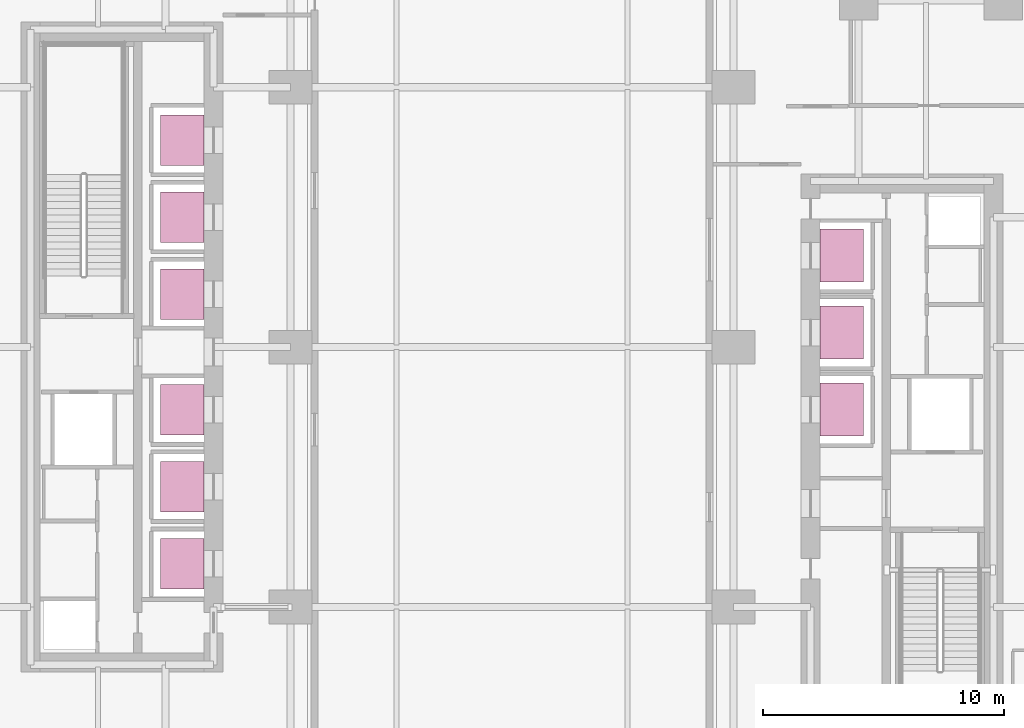
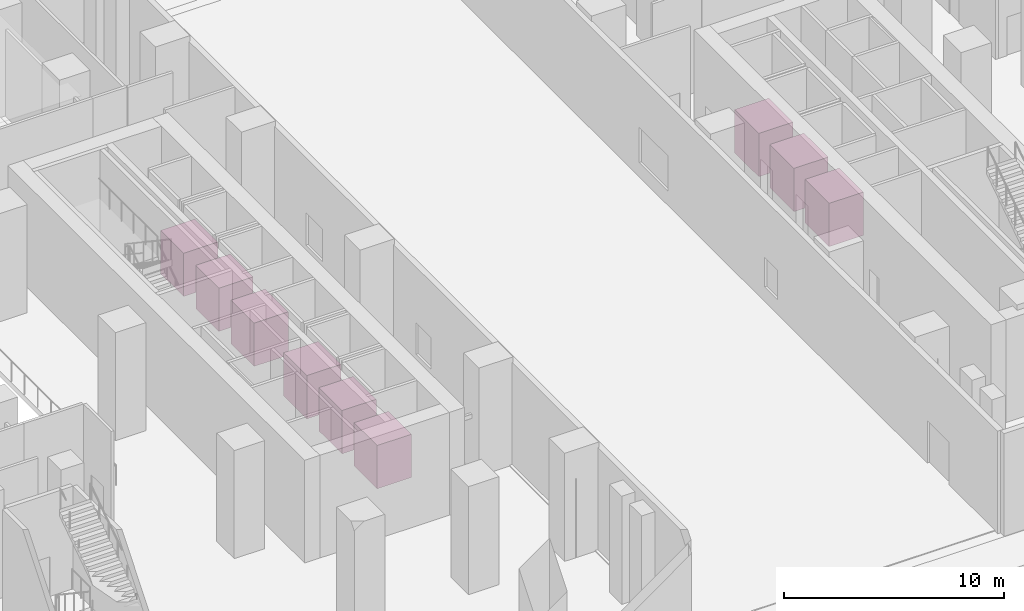
# One storey, part 22 of 22: 9 transport elements.
"""IFC4 building model written with IfcOpenShell, lengths in metres."""

from ifc_helpers import new_model, si_unit, direction, frame, origin, origin_2d, place, context, subcontext, project, spatial, rectangle, extrude, material, type_object, element, save


model = new_model("IFC4")

# Units and contexts
model_context = context("Model", 3, precision=1e-05, world=origin(), true_north=direction((0.0, 1.0)))
body_context = subcontext(model_context, "Body", "Model", "MODEL_VIEW")
ifc_project = project(units=[si_unit("LENGTHUNIT", "METRE"), si_unit("AREAUNIT", "SQUARE_METRE"), si_unit("VOLUMEUNIT", "CUBIC_METRE"), si_unit("PLANEANGLEUNIT", "RADIAN"), si_unit("MASSUNIT", "GRAM", prefix="KILO")], contexts=[model_context])

# Site, building, storey
site_placement = place(None, origin())
site = spatial("IfcSite", under=ifc_project, at=site_placement, CompositionType="ELEMENT")
building_placement = place(site_placement, origin())
building = spatial("IfcBuilding", under=site, at=building_placement, Name="Khairoan Windgate Tower", CompositionType="ELEMENT")
storey_placement = place(building_placement, origin())
storey = spatial("IfcBuildingStorey", under=building, at=storey_placement, Name="L01", CompositionType="ELEMENT", Elevation=0.0)

# Transport elements
ifc_material_1 = material(Name="Anodised Bronze Aluminium 6063-T6", Category="aluminium")
transport_element_type_1 = type_object("IfcTransportElementType", Name="High-Rise Shuttle Lift Car LFT-PL-HIGH 1800x2200", PredefinedType="ELEVATOR", material=ifc_material_1)
for number, where, z_axis, x_axis, name in (
    (1, (13.699951171875, 3.800048828125, 0.0), (0.0, 0.0, 1.0), (1.0, 0.0, 0.0), "Elevator Car PL7"),
    (2, (13.699951171875, 0.60009765625, 0.0), (0.0, 0.0, 1.0), (1.0, 0.0, 0.0), "Elevator Car PL8"),
    (3, (13.699951171875, -2.60009765625, 0.0), (0.0, 0.0, 1.0), (1.0, 0.0, 0.0), "Elevator Car PL9"),
):
    element("IfcTransportElement", number, at=place(storey_placement, frame(where, z_axis=z_axis, x_axis=x_axis)), inside=storey, type_object=transport_element_type_1, Name=name, PredefinedType="ELEVATOR", context=body_context, shape_type="SweptSolid", body=[
        extrude(rectangle(XDim=1.800048828125, YDim=2.199951171875, at=origin_2d()), origin(), (0.0, 0.0, 1.0), 2.39990234375),
    ])
ifc_material_2 = material(Name="Anodised Bronze Aluminium 6063-T6", Category="aluminium")
transport_element_type_2 = type_object("IfcTransportElementType", Name="Low-Rise Passenger Lift Car LFT-PL-LOW 1800x2100", PredefinedType="ELEVATOR", material=ifc_material_2)
for number, where, z_axis, x_axis, name in (
    (4, (-13.699951171875, 8.60009765625, 0.0), (0.0, 0.0, 1.0), (1.0, 0.0, 0.0), "Elevator Car PL1"),
    (5, (-13.699951171875, 5.39990234375, 0.0), (0.0, 0.0, 1.0), (1.0, 0.0, 0.0), "Elevator Car PL2"),
    (6, (-13.699951171875, 2.199951171875, 0.0), (0.0, 0.0, 1.0), (1.0, 0.0, 0.0), "Elevator Car PL3"),
):
    element("IfcTransportElement", number, at=place(storey_placement, frame(where, z_axis=z_axis, x_axis=x_axis)), inside=storey, type_object=transport_element_type_2, Name=name, PredefinedType="ELEVATOR", context=body_context, shape_type="SweptSolid", body=[
        extrude(rectangle(XDim=1.800048828125, YDim=2.10009765625, at=origin_2d()), origin(), (0.0, 0.0, 1.0), 2.39990234375),
    ])
ifc_material_3 = material(Name="Anodised Bronze Aluminium 6063-T6", Category="aluminium")
transport_element_type_3 = type_object("IfcTransportElementType", Name="Mid-Rise Shuttle Lift Car LFT-PL-MID 1800x2100", PredefinedType="ELEVATOR", material=ifc_material_3)
for number, where, z_axis, x_axis, name in (
    (7, (-13.699951171875, -2.60009765625, 0.0), (0.0, 0.0, 1.0), (1.0, 0.0, 0.0), "Elevator Car PL4"),
    (8, (-13.699951171875, -5.800048828125, 0.0), (0.0, 0.0, 1.0), (1.0, 0.0, 0.0), "Elevator Car PL5"),
    (9, (-13.699951171875, -9.0, 0.0), (0.0, 0.0, 1.0), (1.0, 0.0, 0.0), "Elevator Car PL6"),
):
    element("IfcTransportElement", number, at=place(storey_placement, frame(where, z_axis=z_axis, x_axis=x_axis)), inside=storey, type_object=transport_element_type_3, Name=name, PredefinedType="ELEVATOR", context=body_context, shape_type="SweptSolid", body=[
        extrude(rectangle(XDim=1.800048828125, YDim=2.10009765625, at=origin_2d()), origin(), (0.0, 0.0, 1.0), 2.39990234375),
    ])

save(model, "model.ifc")
